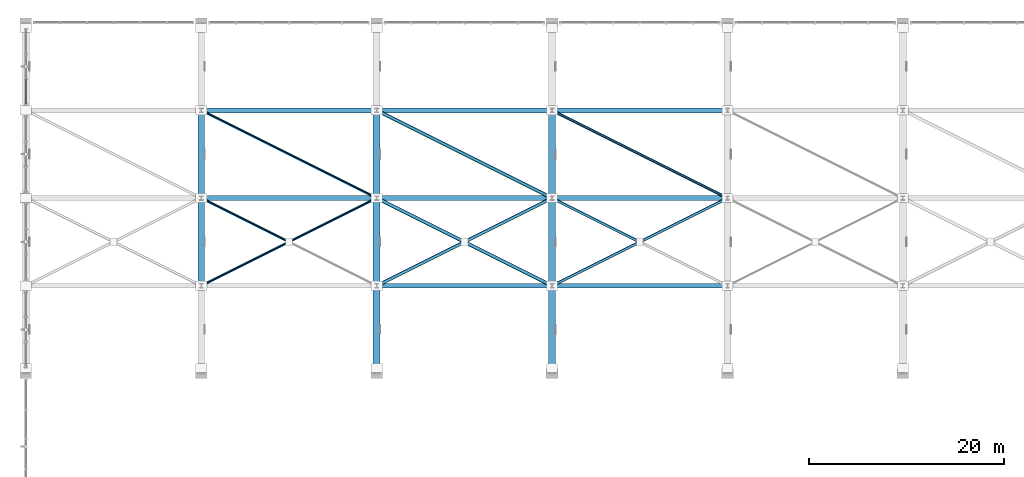
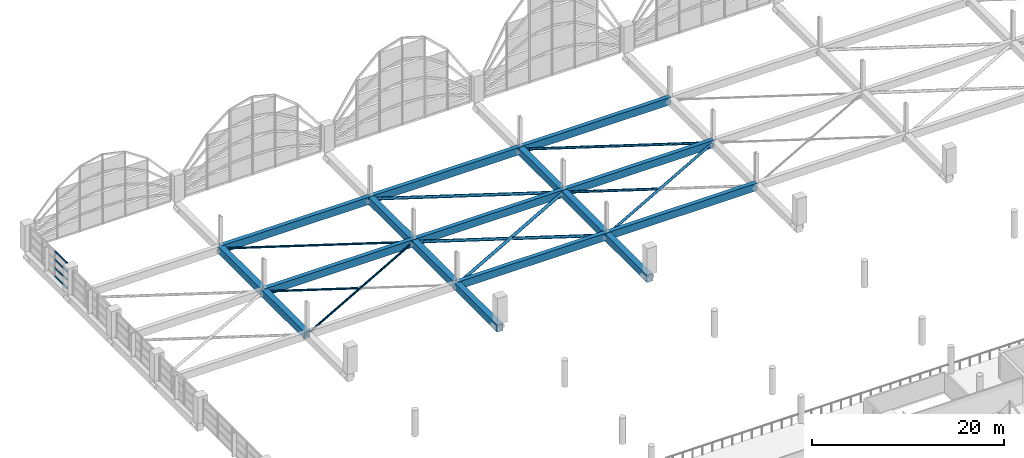
# One storey, part 42 of 116: 16 beams, 14 members, 1 element without a shape of its own.
"""IFC4 building model written with IfcOpenShell, lengths in metres."""

from ifc_helpers import new_model, si_unit, direction, frame, origin, origin_2d, place, context, subcontext, project, spatial, hollow_rectangle, hollow_circle, extrude, material, material_profile, profile_set, type_object, element, aggregate, save


model = new_model("IFC4")

# Units and contexts
model_context = context("Model", 3, precision=1e-05, world=origin(), true_north=direction((0.0, 1.0)))
body_context = subcontext(model_context, "Body", "Model", "MODEL_VIEW")
ifc_project = project(units=[si_unit("LENGTHUNIT", "METRE"), si_unit("AREAUNIT", "SQUARE_METRE"), si_unit("VOLUMEUNIT", "CUBIC_METRE"), si_unit("PLANEANGLEUNIT", "RADIAN"), si_unit("MASSUNIT", "GRAM", prefix="KILO")], contexts=[model_context])

# Site, building, storey
site_placement = place(None, origin())
site = spatial("IfcSite", under=ifc_project, at=site_placement, CompositionType="ELEMENT")
building_placement = place(site_placement, origin())
building = spatial("IfcBuilding", under=site, at=building_placement, Name="Chuanluo Vaults Station", CompositionType="ELEMENT")
storey_placement = place(building_placement, frame((0.0, 0.0, 10.800048828125)))
storey = spatial("IfcBuildingStorey", under=building, at=storey_placement, Name="L02", CompositionType="ELEMENT", Elevation=10.800048828125)

# Beams
ifc_material_1 = material(Name="Steel Q390C", Category="steel")
ifc_material_profile_1 = material_profile(ifc_material_1, hollow_rectangle(XDim=0.5, YDim=0.949951171875, WallThickness=0.028076171875, at=origin_2d()))
ifc_profile_set_1 = profile_set([ifc_material_profile_1], Name="Steel Q390C")
beam_type_1 = type_object("IfcBeamType", Name="BM-TT-TIE", PredefinedType="USERDEFINED", material=ifc_profile_set_1)
for number, where, z_axis, x_axis, name in (
    (1, (18.0, 85.5, -0.85009765625), (1.0, 0.0, 0.0), (0.0, 1.0, 0.0), "Transfer truss top tie girder 2-85"),
    (2, (18.0, 94.5, -0.85009765625), (1.0, 0.0, 0.0), (0.0, 1.0, 0.0), "Transfer truss top tie girder 2-94"),
    (3, (36.0, 76.5, -0.85009765625), (1.0, 0.0, 0.0), (0.0, 1.0, 0.0), "Transfer truss top tie girder 3-76"),
    (4, (36.0, 85.5, -0.85009765625), (1.0, 0.0, 0.0), (0.0, 1.0, 0.0), "Transfer truss top tie girder 3-85"),
    (5, (36.0, 94.5, -0.85009765625), (1.0, 0.0, 0.0), (0.0, 1.0, 0.0), "Transfer truss top tie girder 3-94"),
    (6, (54.0, 76.5, -0.85009765625), (1.0, 0.0, 0.0), (0.0, 1.0, 0.0), "Transfer truss top tie girder 4-76"),
    (7, (54.0, 85.5, -0.85009765625), (1.0, 0.0, 0.0), (0.0, 1.0, 0.0), "Transfer truss top tie girder 4-85"),
    (8, (54.0, 94.5, -0.85009765625), (1.0, 0.0, 0.0), (0.0, 1.0, 0.0), "Transfer truss top tie girder 4-94"),
):
    element("IfcBeam", number, at=place(storey_placement, frame(where, z_axis=z_axis, x_axis=x_axis)), inside=storey, type_object=beam_type_1, Name=name, ObjectType="GIRDER", PredefinedType="USERDEFINED", context=body_context, shape_type="SweptSolid", body=[
        extrude(hollow_rectangle(XDim=0.5, YDim=0.949951171875, WallThickness=0.028076171875, at=origin_2d()), origin(), (0.0, 0.0, 1.0), 18.0),
    ])
ifc_material_2 = material(Name="Steel Q390C", Category="steel")
ifc_material_profile_2 = material_profile(ifc_material_2, hollow_rectangle(XDim=0.699951171875, YDim=0.89990234375, WallThickness=0.035888671875, at=origin_2d()))
ifc_profile_set_2 = profile_set([ifc_material_profile_2], Name="Steel Q390C")
beam_type_2 = type_object("IfcBeamType", Name="BM-TT-TOP", PredefinedType="USERDEFINED", material=ifc_profile_set_2)
for number, where, z_axis, x_axis, name in (
    (9, (18.0, 76.5, -0.85009765625), (0.0, 1.0, 0.0), (-1.0, 0.0, 0.0), "Transfer truss TT-2 top chord 2"),
    (10, (18.0, 85.5, -0.85009765625), (0.0, 1.0, 0.0), (-1.0, 0.0, 0.0), "Transfer truss TT-2 top chord 3"),
    (11, (36.0, 67.5, -0.85009765625), (0.0, 1.0, 0.0), (-1.0, 0.0, 0.0), "Transfer truss TT-3 top chord 1"),
    (12, (36.0, 76.5, -0.85009765625), (0.0, 1.0, 0.0), (-1.0, 0.0, 0.0), "Transfer truss TT-3 top chord 2"),
    (13, (36.0, 85.5, -0.85009765625), (0.0, 1.0, 0.0), (-1.0, 0.0, 0.0), "Transfer truss TT-3 top chord 3"),
    (14, (54.0, 67.5, -0.85009765625), (0.0, 1.0, 0.0), (-1.0, 0.0, 0.0), "Transfer truss TT-4 top chord 1"),
    (15, (54.0, 76.5, -0.85009765625), (0.0, 1.0, 0.0), (-1.0, 0.0, 0.0), "Transfer truss TT-4 top chord 2"),
    (16, (54.0, 85.5, -0.85009765625), (0.0, 1.0, 0.0), (-1.0, 0.0, 0.0), "Transfer truss TT-4 top chord 3"),
):
    element("IfcBeam", number, at=place(storey_placement, frame(where, z_axis=z_axis, x_axis=x_axis)), inside=storey, type_object=beam_type_2, Name=name, ObjectType="GIRDER", PredefinedType="USERDEFINED", context=body_context, shape_type="SweptSolid", body=[
        extrude(hollow_rectangle(XDim=0.699951171875, YDim=0.89990234375, WallThickness=0.035888671875, at=origin_2d()), origin(), (0.0, 0.0, 1.0), 9.0),
    ])

# Curtain wall, members
ifc_material_3 = material(Name="Anodised aluminium 6063-T6", Category="aluminium")
curtain_wall_type = type_object("IfcCurtainWallType", Name="CW-SYS-19", PredefinedType="NOTDEFINED", material=ifc_material_3)
curtain_wall_placement = place(storey_placement, origin())
curtain_wall = element("IfcCurtainWall", 17, at=curtain_wall_placement, inside=storey, type_object=curtain_wall_type, Name="Train shed west clerestory CW 94", PredefinedType="NOTDEFINED")
ifc_material_4 = material(Name="Anodised aluminium 6063-T6", Category="aluminium")
ifc_material_profile_3 = material_profile(ifc_material_4, hollow_rectangle(XDim=0.1201171875, YDim=0.205078125, WallThickness=0.006103515625, at=origin_2d()))
ifc_profile_set_3 = profile_set([ifc_material_profile_3], Name="Anodised aluminium 6063-T6")
member_type_1 = type_object("IfcMemberType", Name="CWT-130", PredefinedType="USERDEFINED", material=ifc_profile_set_3)
member_1_placement = place(storey_placement, frame((0.0, 95.175048828125, 0.0), z_axis=(0.0, 1.0, 0.0), x_axis=(-1.0, 0.0, 0.0)))
member_1 = element("IfcMember", 18, at=member_1_placement, type_object=member_type_1, Name="Train shed west clerestory CW 94 transom 1.1", ObjectType="TRANSOM", PredefinedType="USERDEFINED", context=body_context, shape_type="SweptSolid", body=[
    extrude(hollow_rectangle(XDim=0.1201171875, YDim=0.205078125, WallThickness=0.006103515625, at=origin_2d()), origin(), (0.0, 0.0, 1.0), 2.550048828125),
])
member_2_placement = place(storey_placement, frame((0.0, 95.175048828125, 1.050048828125), z_axis=(0.0, 1.0, 0.0), x_axis=(-1.0, 0.0, 0.0)))
member_2 = element("IfcMember", 19, at=member_2_placement, type_object=member_type_1, Name="Train shed west clerestory CW 94 transom 1.2", ObjectType="TRANSOM", PredefinedType="USERDEFINED", context=body_context, shape_type="SweptSolid", body=[
    extrude(hollow_rectangle(XDim=0.1201171875, YDim=0.205078125, WallThickness=0.006103515625, at=origin_2d()), origin(), (0.0, 0.0, 1.0), 2.550048828125),
])
member_3_placement = place(storey_placement, frame((0.0, 95.175048828125, 2.099853515625), z_axis=(0.0, 1.0, 0.0), x_axis=(-1.0, 0.0, 0.0)))
member_3 = element("IfcMember", 20, at=member_3_placement, type_object=member_type_1, Name="Train shed west clerestory CW 94 transom 1.3", ObjectType="TRANSOM", PredefinedType="USERDEFINED", context=body_context, shape_type="SweptSolid", body=[
    extrude(hollow_rectangle(XDim=0.1201171875, YDim=0.205078125, WallThickness=0.006103515625, at=origin_2d()), origin(), (0.0, 0.0, 1.0), 2.550048828125),
])
member_4_placement = place(storey_placement, frame((0.0, 95.175048828125, 3.14990234375), z_axis=(0.0, 1.0, 0.0), x_axis=(-1.0, 0.0, 0.0)))
member_4 = element("IfcMember", 21, at=member_4_placement, type_object=member_type_1, Name="Train shed west clerestory CW 94 transom 1.4", ObjectType="TRANSOM", PredefinedType="USERDEFINED", context=body_context, shape_type="SweptSolid", body=[
    extrude(hollow_rectangle(XDim=0.1201171875, YDim=0.205078125, WallThickness=0.006103515625, at=origin_2d()), origin(), (0.0, 0.0, 1.0), 2.550048828125),
])
aggregate(curtain_wall, [member_1, member_2, member_3, member_4])

# Members
ifc_material_5 = material(Name="Steel Q355C", Category="steel")
ifc_material_profile_4 = material_profile(ifc_material_5, hollow_circle(Radius=0.12255859375, WallThickness=0.010009765625, at=origin_2d()))
ifc_profile_set_4 = profile_set([ifc_material_profile_4], Name="Steel Q355C")
member_type_2 = type_object("IfcMemberType", Name="MEM-CHS-245", PredefinedType="BRACE", material=ifc_profile_set_4)
member_5_placement = place(storey_placement, frame((18.0, 76.5, -0.85009765625), z_axis=(0.894427191, 0.4472135955, 0.0), x_axis=(-0.4472135955, 0.894427191, 0.0)))
element("IfcMember", 22, at=member_5_placement, inside=storey, type_object=member_type_2, Name="Over-track diaphragm brace 2-76", PredefinedType="BRACE", context=body_context, shape_type="SweptSolid", body=[
    extrude(hollow_circle(Radius=0.12255859375, WallThickness=0.010009765625, at=origin_2d()), origin(), (0.0, 0.0, 1.0), 20.12451171875),
])
member_6_placement = place(storey_placement, frame((18.0, 85.5, -0.85009765625), z_axis=(0.894432165125, -0.447203647112, 0.0), x_axis=(0.447203647112, 0.894432165125, 0.0)))
element("IfcMember", 23, at=member_6_placement, inside=storey, type_object=member_type_2, Name="Over-track diaphragm split X-brace 2-85A", PredefinedType="BRACE", context=body_context, shape_type="SweptSolid", body=[
    extrude(hollow_circle(Radius=0.12255859375, WallThickness=0.010009765625, at=origin_2d()), origin(), (0.0, 0.0, 1.0), 9.81640625),
])
member_7_placement = place(storey_placement, frame((18.0, 94.5, -0.85009765625), z_axis=(0.894427191, -0.4472135955, 0.0), x_axis=(0.4472135955, 0.894427191, 0.0)))
element("IfcMember", 24, at=member_7_placement, inside=storey, type_object=member_type_2, Name="Over-track diaphragm brace 2-94", PredefinedType="BRACE", context=body_context, shape_type="SweptSolid", body=[
    extrude(hollow_circle(Radius=0.12255859375, WallThickness=0.010009765625, at=origin_2d()), origin(), (0.0, 0.0, 1.0), 20.12451171875),
])
ifc_material_6 = material(Name="Steel Q355C", Category="steel")
ifc_material_profile_5 = material_profile(ifc_material_6, hollow_circle(Radius=0.1494140625, WallThickness=0.011962890625, at=origin_2d()))
ifc_profile_set_5 = profile_set([ifc_material_profile_5], Name="Steel Q355C")
member_type_3 = type_object("IfcMemberType", Name="MEM-CHS-299", PredefinedType="BRACE", material=ifc_profile_set_5)
member_8_placement = place(storey_placement, frame((54.0, 76.5, -0.85009765625), z_axis=(0.894427191, 0.4472135955, 0.0), x_axis=(-0.4472135955, 0.894427191, 0.0)))
element("IfcMember", 25, at=member_8_placement, inside=storey, type_object=member_type_3, Name="Over-track diaphragm brace 4-76", PredefinedType="BRACE", context=body_context, shape_type="SweptSolid", body=[
    extrude(hollow_circle(Radius=0.1494140625, WallThickness=0.011962890625, at=origin_2d()), origin(), (0.0, 0.0, 1.0), 20.12451171875),
])
member_9_placement = place(storey_placement, frame((54.0, 85.5, -0.85009765625), z_axis=(0.894432165125, -0.447203647112, 0.0), x_axis=(0.447203647112, 0.894432165125, 0.0)))
element("IfcMember", 26, at=member_9_placement, inside=storey, type_object=member_type_3, Name="Over-track diaphragm split X-brace 4-85A", PredefinedType="BRACE", context=body_context, shape_type="SweptSolid", body=[
    extrude(hollow_circle(Radius=0.1494140625, WallThickness=0.011962890625, at=origin_2d()), origin(), (0.0, 0.0, 1.0), 9.81640625),
])
member_10_placement = place(storey_placement, frame((54.0, 94.5, -0.85009765625), z_axis=(0.894427191, -0.4472135955, 0.0), x_axis=(0.4472135955, 0.894427191, 0.0)))
element("IfcMember", 27, at=member_10_placement, inside=storey, type_object=member_type_3, Name="Over-track diaphragm brace 4-94", PredefinedType="BRACE", context=body_context, shape_type="SweptSolid", body=[
    extrude(hollow_circle(Radius=0.1494140625, WallThickness=0.011962890625, at=origin_2d()), origin(), (0.0, 0.0, 1.0), 20.12451171875),
])
ifc_material_7 = material(Name="Steel Q355C", Category="steel")
ifc_material_profile_6 = material_profile(ifc_material_7, hollow_circle(Radius=0.177978515625, WallThickness=0.013916015625, at=origin_2d()))
ifc_profile_set_6 = profile_set([ifc_material_profile_6], Name="Steel Q355C")
member_type_4 = type_object("IfcMemberType", Name="MEM-CHS-356", PredefinedType="BRACE", material=ifc_profile_set_6)
member_11_placement = place(storey_placement, frame((36.0, 76.5, -0.85009765625), z_axis=(0.894427191, 0.4472135955, 0.0), x_axis=(-0.4472135955, 0.894427191, 0.0)))
element("IfcMember", 28, at=member_11_placement, inside=storey, type_object=member_type_4, Name="Over-track diaphragm brace 3-76", PredefinedType="BRACE", context=body_context, shape_type="SweptSolid", body=[
    extrude(hollow_circle(Radius=0.177978515625, WallThickness=0.013916015625, at=origin_2d()), origin(), (0.0, 0.0, 1.0), 20.12451171875),
])
for number, where, z_axis, x_axis, name in (
    (29, (36.0, 85.5, -0.85009765625), (0.894432165125, -0.447203647112, 0.0), (0.447203647112, 0.894432165125, 0.0), "Over-track diaphragm split X-brace 3-85A"),
    (30, (45.219970703125, 80.889892578125, -0.85009765625), (0.894432165125, -0.447203647112, 0.0), (0.447203647112, 0.894432165125, 0.0), "Over-track diaphragm split X-brace 3-85B"),
):
    element("IfcMember", number, at=place(storey_placement, frame(where, z_axis=z_axis, x_axis=x_axis)), inside=storey, type_object=member_type_4, Name=name, PredefinedType="BRACE", context=body_context, shape_type="SweptSolid", body=[
        extrude(hollow_circle(Radius=0.177978515625, WallThickness=0.013916015625, at=origin_2d()), origin(), (0.0, 0.0, 1.0), 9.81640625),
    ])
member_12_placement = place(storey_placement, frame((36.0, 94.5, -0.85009765625), z_axis=(0.894427191, -0.4472135955, 0.0), x_axis=(0.4472135955, 0.894427191, 0.0)))
element("IfcMember", 31, at=member_12_placement, inside=storey, type_object=member_type_4, Name="Over-track diaphragm brace 3-94", PredefinedType="BRACE", context=body_context, shape_type="SweptSolid", body=[
    extrude(hollow_circle(Radius=0.177978515625, WallThickness=0.013916015625, at=origin_2d()), origin(), (0.0, 0.0, 1.0), 20.12451171875),
])

save(model, "model.ifc")
